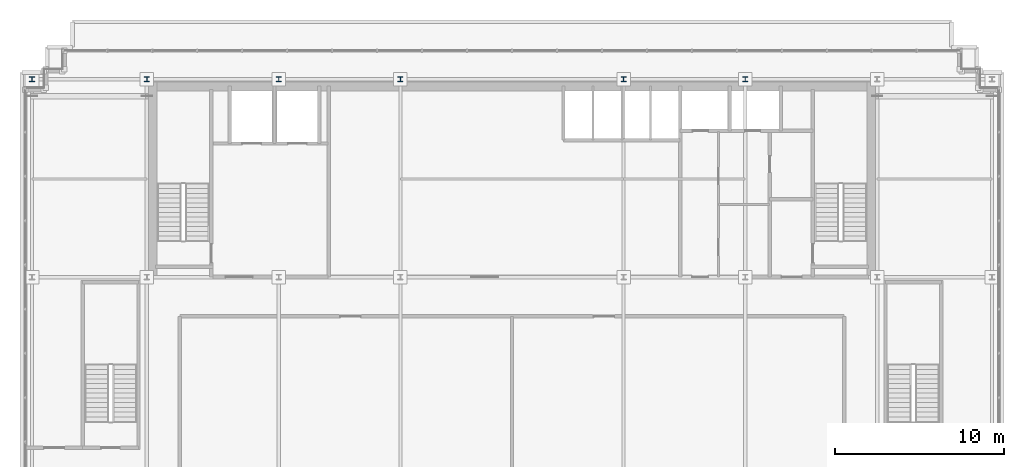
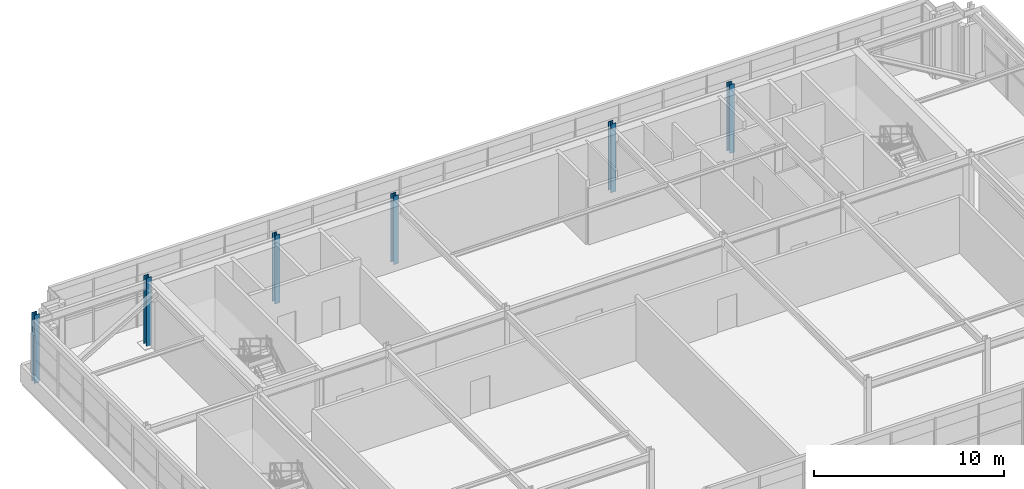
# One storey, part 3 of 38: 6 columns.
"""IFC4 building model written with IfcOpenShell, lengths in metres."""

from ifc_helpers import new_model, si_unit, direction, frame, origin, origin_2d, place, context, subcontext, project, spatial, i_section, extrude, source, transform, mapped, material, material_profile, profile_set, type_object, element, save


model = new_model("IFC4")

# Units and contexts
model_context = context("Model", 3, precision=1e-05, world=origin(), true_north=direction((0.0, 1.0)))
body_context = subcontext(model_context, "Body", "Model", "MODEL_VIEW")
ifc_project = project(units=[si_unit("LENGTHUNIT", "METRE"), si_unit("AREAUNIT", "SQUARE_METRE"), si_unit("VOLUMEUNIT", "CUBIC_METRE"), si_unit("PLANEANGLEUNIT", "RADIAN"), si_unit("MASSUNIT", "GRAM", prefix="KILO")], contexts=[model_context])

# Site, building, storey
site_placement = place(None, origin())
site = spatial("IfcSite", under=ifc_project, at=site_placement, CompositionType="ELEMENT")
building_placement = place(site_placement, origin())
building = spatial("IfcBuilding", under=site, at=building_placement, Name="Trelvane Seafront Commons", CompositionType="ELEMENT")
storey_placement = place(building_placement, frame((0.0, 0.0, 299.10009765625)))
storey = spatial("IfcBuildingStorey", under=building, at=storey_placement, Name="L78", CompositionType="ELEMENT", Elevation=299.10009765625)

# Columns
ifc_material = material(Name="Steel SM355 (S355)", Category="steel")
ifc_material_profile = material_profile(ifc_material, i_section(OverallWidth=0.300048828125, OverallDepth=0.300048828125, WebThickness=0.014892578125, FlangeThickness=0.02392578125, at=origin_2d()), Name="HD-300x300x15x24")
ifc_profile_set = profile_set([ifc_material_profile], Name="Steel SM355 (S355)")
column_type = type_object("IfcColumnType", Name="STR-CROWN-FRAME-COL", PredefinedType="COLUMN", material=ifc_profile_set)
shared_shape = source(origin(), body_context, "Body", "SweptSolid", [
    extrude(i_section(OverallWidth=0.300048828125, OverallDepth=0.300048828125, WebThickness=0.014892578125, FlangeThickness=0.02392578125, at=origin_2d()), origin(), (0.0, 0.0, 1.0), 4.39990234375),
])
for number, where, z_axis, x_axis, name in (
    (1, (8.800048828125, 45.10009765625, 0.0), (0.0, 0.0, 1.0), (1.0, 0.0, 0.0), "L78 CROWN FRAME Column CRN-1-3"),
    (2, (15.60009765625, 45.10009765625, 0.0), (0.0, 0.0, 1.0), (1.0, 0.0, 0.0), "L78 CROWN FRAME Column CRN-2-3"),
    (3, (23.39990234375, 45.10009765625, 0.0), (0.0, 0.0, 1.0), (1.0, 0.0, 0.0), "L78 CROWN FRAME Column CRN-3-3"),
    (4, (30.60009765625, 45.10009765625, 0.0), (0.0, 0.0, 1.0), (1.0, 0.0, 0.0), "L78 CROWN FRAME Column CRN-4-3"),
    (5, (43.800048828125, 45.10009765625, 0.0), (0.0, 0.0, 1.0), (1.0, 0.0, 0.0), "L78 CROWN FRAME Column CRN-5-3"),
    (6, (51.0, 45.10009765625, 0.0), (0.0, 0.0, 1.0), (1.0, 0.0, 0.0), "L78 CROWN FRAME Column CRN-6-3"),
):
    element("IfcColumn", number, at=place(storey_placement, frame(where, z_axis=z_axis, x_axis=x_axis)), inside=storey, type_object=column_type, Name=name, PredefinedType="COLUMN", context=body_context, shape_type="MappedRepresentation", body=[
        mapped(shared_shape, transform((0.0, 0.0, 0.0), x_axis=(1.0, 0.0, 0.0), y_axis=(0.0, 1.0, 0.0), z_axis=(0.0, 0.0, 1.0), scale=1.0)),
    ])

save(model, "model.ifc")
